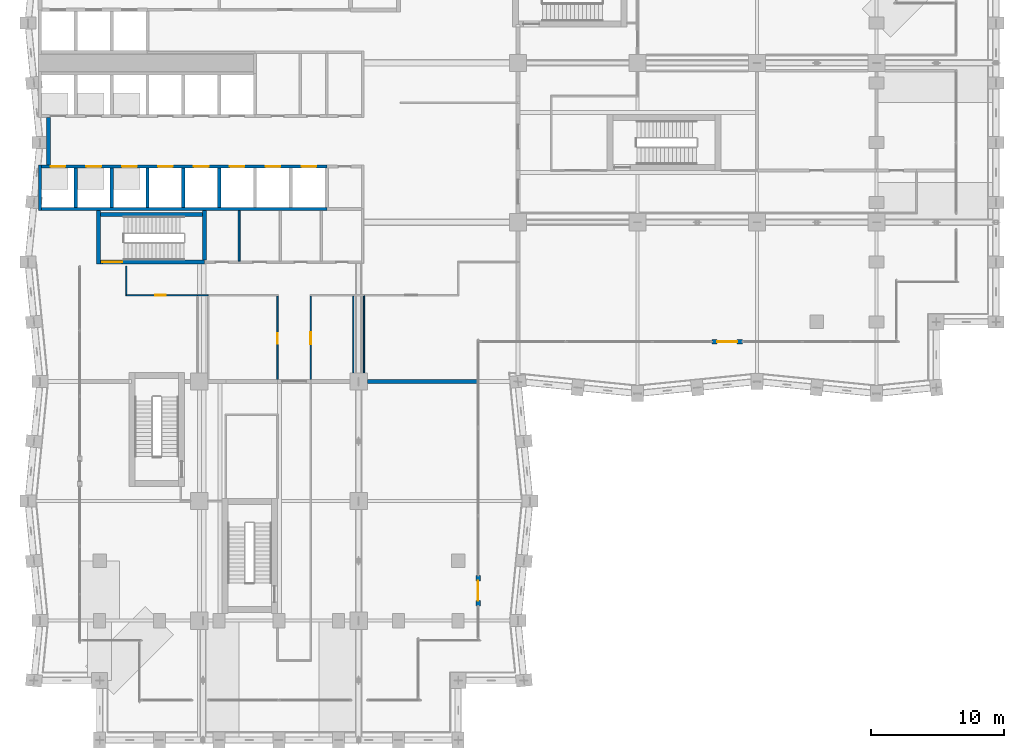
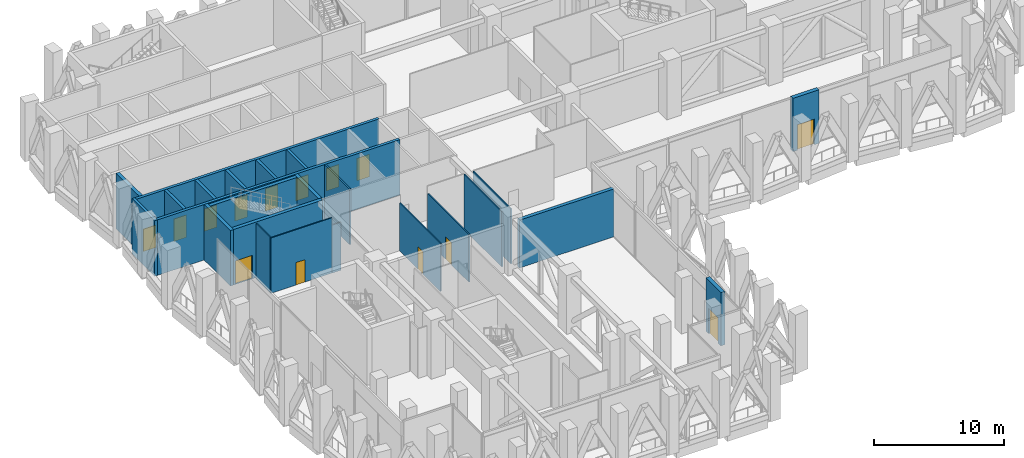
# One storey, part 22 of 37: 24 walls, 14 doors, 14 openings.
"""IFC4 building model written with IfcOpenShell, lengths in metres."""

from ifc_helpers import new_model, si_unit, direction, frame, frame_2d, origin, place, context, subcontext, project, spatial, rectangle, extrude, material, layer, layer_set, type_object, element, fill, save


model = new_model("IFC4")

# Units and contexts
model_context = context("Model", 3, precision=1e-05, world=origin(), true_north=direction((0.0, 1.0)))
body_context = subcontext(model_context, "Body", "Model", "MODEL_VIEW")
ifc_project = project(units=[si_unit("LENGTHUNIT", "METRE"), si_unit("AREAUNIT", "SQUARE_METRE"), si_unit("VOLUMEUNIT", "CUBIC_METRE"), si_unit("PLANEANGLEUNIT", "RADIAN"), si_unit("MASSUNIT", "GRAM", prefix="KILO")], contexts=[model_context])

# Site, building, storey
site_placement = place(None, origin())
site = spatial("IfcSite", under=ifc_project, at=site_placement, CompositionType="ELEMENT")
building_placement = place(site_placement, origin())
building = spatial("IfcBuilding", under=site, at=building_placement, Name="Brondeck Convention Tower", CompositionType="ELEMENT")
storey_placement = place(building_placement, frame((0.0, 0.0, 137.89990234375)))
storey = spatial("IfcBuildingStorey", under=building, at=storey_placement, Name="L33", CompositionType="ELEMENT", Elevation=137.89990234375)

# Wall, opening, door
ifc_material_1 = material(Name="Precast concrete C50/60 bronze finish", Category="concrete")
ifc_layer_1 = layer(ifc_material_1, 0.080078125, Name="Bronze precast facing")
ifc_material_2 = material(Name="Mineral wool")
ifc_layer_2 = layer(ifc_material_2, 0.159912109375, Name="Insulation")
ifc_material_3 = material(Name="Precast concrete C50/60", Category="concrete")
ifc_layer_3 = layer(ifc_material_3, 0.110107421875, Name="Rated backing")
ifc_layer_set_1 = layer_set([ifc_layer_1, ifc_layer_2, ifc_layer_3], Name="Band enclosure wall, insulated panel")
wall_type_1 = type_object("IfcWallType", Name="Band enclosure wall, insulated panel", PredefinedType="SOLIDWALL", material=ifc_layer_set_1)
wall_1_placement = place(storey_placement, frame((33.0, 12.39990234375, 0.0), z_axis=(0.0, 0.0, 1.0), x_axis=(0.0, -1.0, 0.0)))
wall_1 = element("IfcWall", 1, at=wall_1_placement, inside=storey, type_object=wall_type_1, Name="ENV-BW-L33-BT-B-E", PredefinedType="SOLIDWALL", context=body_context, shape_type="SweptSolid", body=[
    extrude(rectangle(XDim=2.2998046875, YDim=0.35009765625, at=frame_2d((1.14990234375, 0.0))), origin(), (0.0, 0.0, 1.0), 5.0),
])
opening_1_placement = place(wall_1_placement, frame((0.39990234375, 0.0, 0.0)))
opening_1 = element("IfcOpeningElement", 2, at=opening_1_placement, cuts=wall_1, Name="Opening DB-L33-BT-B-E", PredefinedType="OPENING", context=body_context, shape_type="SweptSolid", body=[
    extrude(rectangle(XDim=1.5, YDim=2.39990234375, at=frame_2d((0.75, 1.199951171875))), frame((0.0, 0.18505859375, 0.0), z_axis=(0.0, -1.0, 0.0), x_axis=(1.0, 0.0, 0.0)), (0.0, 0.0, 1.0), 0.3701171875),
])
ifc_material_4 = material(Name="Steel, fire-rated door leaf", Category="steel")
door_type_1 = type_object("IfcDoorType", Name="Refuge terrace door, double leaf", OperationType="DOUBLE_DOOR_SINGLE_SWING", PredefinedType="DOOR", material=ifc_material_4)
door_1_placement = place(opening_1_placement, origin())
door_1 = element("IfcDoor", 3, at=door_1_placement, inside=storey, type_object=door_type_1, Name="ENV-D-DB-L33-BT-B-E", OperationType="DOUBLE_DOOR_SINGLE_SWING", OverallHeight=2.39990234375, OverallWidth=1.5, PredefinedType="DOOR", context=body_context, shape_type="SweptSolid", body=[
    extrude(rectangle(XDim=1.5, YDim=2.39990234375, at=frame_2d((0.75, 1.199951171875))), frame((0.0, 0.02490234375, 0.0), z_axis=(0.0, -1.0, 0.0), x_axis=(1.0, 0.0, 0.0)), (0.0, 0.0, 1.0), 0.050048828125),
])
fill(opening_1, door_1)

wall_2_placement = place(storey_placement, frame((52.89990234375, 30.0, 0.0), z_axis=(0.0, 0.0, 1.0), x_axis=(-1.0, 0.0, 0.0)))
wall_2 = element("IfcWall", 4, at=wall_2_placement, inside=storey, type_object=wall_type_1, Name="ENV-BW-L33-BT-A-S", PredefinedType="SOLIDWALL", context=body_context, shape_type="SweptSolid", body=[
    extrude(rectangle(XDim=2.2998046875, YDim=0.35009765625, at=frame_2d((1.14990234375, 0.0))), origin(), (0.0, 0.0, 1.0), 5.0),
])
opening_2_placement = place(wall_2_placement, frame((0.39990234375, 0.0, 0.0)))
opening_2 = element("IfcOpeningElement", 5, at=opening_2_placement, cuts=wall_2, Name="Opening DB-L33-BT-A-S", PredefinedType="OPENING", context=body_context, shape_type="SweptSolid", body=[
    extrude(rectangle(XDim=1.5, YDim=2.39990234375, at=frame_2d((0.75, 1.199951171875))), frame((0.0, 0.18505859375, 0.0), z_axis=(0.0, -1.0, 0.0), x_axis=(1.0, 0.0, 0.0)), (0.0, 0.0, 1.0), 0.3701171875),
])
door_2_placement = place(opening_2_placement, origin())
door_2 = element("IfcDoor", 6, at=door_2_placement, inside=storey, type_object=door_type_1, Name="ENV-D-DB-L33-BT-A-S", OperationType="DOUBLE_DOOR_SINGLE_SWING", OverallHeight=2.39990234375, OverallWidth=1.5, PredefinedType="DOOR", context=body_context, shape_type="SweptSolid", body=[
    extrude(rectangle(XDim=1.5, YDim=2.39990234375, at=frame_2d((0.75, 1.199951171875))), frame((0.0, 0.02490234375, 0.0), z_axis=(0.0, -1.0, 0.0), x_axis=(1.0, 0.0, 0.0)), (0.0, 0.0, 1.0), 0.050048828125),
])
fill(opening_2, door_2)

# Walls
ifc_material_5 = material(Name="Concrete compartment wall C30/37", Category="concrete")
ifc_layer_4 = layer(ifc_material_5, 0.300048828125)
ifc_layer_set_2 = layer_set([ifc_layer_4], Name="Compartment wall 300")
wall_type_2 = type_object("IfcWallType", Name="Compartment wall 300", PredefinedType="PARTITIONING", material=ifc_layer_set_2)
wall_3_placement = place(storey_placement, frame((33.050048828125, 27.0, 0.0), z_axis=(0.0, 0.0, 1.0), x_axis=(-1.0, 0.0, 0.0)))
element("IfcWall", 7, at=wall_3_placement, inside=storey, type_object=wall_type_2, Name="FLR-L33-W016", PredefinedType="PARTITIONING", context=body_context, shape_type="SweptSolid", body=[
    extrude(rectangle(XDim=8.39501953125, YDim=0.300048828125, at=frame_2d((4.197509765625, 0.0))), origin(), (0.0, 0.0, 1.0), 4.47998046875),
])
ifc_material_6 = material(Name="Concrete C70/85", Category="concrete")
ifc_layer_5 = layer(ifc_material_6, 0.300048828125)
ifc_layer_set_3 = layer_set([ifc_layer_5], Name="Core outer wall 300 Concrete C70/85")
wall_type_3 = type_object("IfcWallType", Name="Core outer wall 300 Concrete C70/85", PredefinedType="SHEAR", material=ifc_layer_set_3)
wall_4_placement = place(storey_placement, frame((0.64990234375, 43.324951171875, 0.0), z_axis=(0.0, 0.0, 1.0), x_axis=(0.0, 1.0, 0.0)))
element("IfcWall", 8, at=wall_4_placement, inside=storey, type_object=wall_type_3, Name="L33 core wall", PredefinedType="SHEAR", context=body_context, shape_type="SweptSolid", body=[
    extrude(rectangle(XDim=3.550048828125, YDim=0.300048828125, at=frame_2d((1.77490234375, 0.0))), origin(), (0.0, 0.0, 1.0), 5.2001953125),
])
ifc_material_7 = material(Name="Fire-rated gypsum board partition")
ifc_layer_6 = layer(ifc_material_7, 0.14990234375)
ifc_layer_set_4 = layer_set([ifc_layer_6], Name="Core partition 150 EI 60")
wall_type_4 = type_object("IfcWallType", Name="Core partition 150 EI 60", PredefinedType="PARTITIONING", material=ifc_layer_set_4)
wall_5_placement = place(storey_placement, frame((15.0, 36.074951171875, 0.0), z_axis=(0.0, 0.0, 1.0), x_axis=(0.0, 1.0, 0.0)))
element("IfcWall", 9, at=wall_5_placement, inside=storey, type_object=wall_type_4, Name="L33 core wall", PredefinedType="PARTITIONING", context=body_context, shape_type="SweptSolid", body=[
    extrude(rectangle(XDim=3.800048828125, YDim=0.14990234375, at=frame_2d((1.89990234375, 0.0))), origin(), (0.0, 0.0, 1.0), 5.2001953125),
])
ifc_layer_7 = layer(ifc_material_6, 0.25)
ifc_layer_set_5 = layer_set([ifc_layer_7], Name="Lift shaft wall 250 Concrete C70/85")
wall_type_5 = type_object("IfcWallType", Name="Lift shaft wall 250 Concrete C70/85", PredefinedType="SHEAR", material=ifc_layer_set_5)
wall_6_placement = place(storey_placement, frame((0.125, 40.0, 0.0), z_axis=(0.0, 0.0, 1.0), x_axis=(1.0, 0.0, 0.0)))
element("IfcWall", 10, at=wall_6_placement, inside=storey, type_object=wall_type_5, Name="L33 core wall", PredefinedType="SHEAR", context=body_context, shape_type="SweptSolid", body=[
    extrude(rectangle(XDim=21.47509765625, YDim=0.25, at=frame_2d((10.737548828125, 0.0))), origin(), (0.0, 0.0, 1.0), 5.2001953125),
])

# Wall, openings, doors
wall_7_placement = place(storey_placement, frame((0.125, 43.199951171875, 0.0), z_axis=(0.0, 0.0, 1.0), x_axis=(1.0, 0.0, 0.0)))
wall_7 = element("IfcWall", 11, at=wall_7_placement, inside=storey, type_object=wall_type_5, Name="L33 core wall", PredefinedType="SHEAR", context=body_context, shape_type="SweptSolid", body=[
    extrude(rectangle(XDim=21.47509765625, YDim=0.25, at=frame_2d((10.737548828125, 0.0))), origin(), (0.0, 0.0, 1.0), 5.2001953125),
])
opening_3_placement = place(wall_7_placement, frame((0.675048828125, 0.0, 0.0)))
opening_3 = element("IfcOpeningElement", 12, at=opening_3_placement, cuts=wall_7, Name="Opening C19-21", PredefinedType="OPENING", context=body_context, shape_type="SweptSolid", body=[
    extrude(rectangle(XDim=1.10009765625, YDim=2.10009765625, at=frame_2d((0.550048828125, 1.050048828125))), frame((0.0, 0.135009765625, 0.0), z_axis=(0.0, -1.0, 0.0), x_axis=(1.0, 0.0, 0.0)), (0.0, 0.0, 1.0), 0.27001953125),
])
opening_4_placement = place(wall_7_placement, frame((3.375, 0.0, 0.0)))
opening_4 = element("IfcOpeningElement", 13, at=opening_4_placement, cuts=wall_7, Name="Opening C19-22", PredefinedType="OPENING", context=body_context, shape_type="SweptSolid", body=[
    extrude(rectangle(XDim=1.10009765625, YDim=2.10009765625, at=frame_2d((0.550048828125, 1.050048828125))), frame((0.0, 0.135009765625, 0.0), z_axis=(0.0, -1.0, 0.0), x_axis=(1.0, 0.0, 0.0)), (0.0, 0.0, 1.0), 0.27001953125),
])
opening_5_placement = place(wall_7_placement, frame((6.074951171875, 0.0, 0.0)))
opening_5 = element("IfcOpeningElement", 14, at=opening_5_placement, cuts=wall_7, Name="Opening C19-23", PredefinedType="OPENING", context=body_context, shape_type="SweptSolid", body=[
    extrude(rectangle(XDim=1.10009765625, YDim=2.10009765625, at=frame_2d((0.550048828125, 1.050048828125))), frame((0.0, 0.135009765625, 0.0), z_axis=(0.0, -1.0, 0.0), x_axis=(1.0, 0.0, 0.0)), (0.0, 0.0, 1.0), 0.27001953125),
])
opening_6_placement = place(wall_7_placement, frame((8.77490234375, 0.0, 0.0)))
opening_6 = element("IfcOpeningElement", 15, at=opening_6_placement, cuts=wall_7, Name="Opening C19-27", PredefinedType="OPENING", context=body_context, shape_type="SweptSolid", body=[
    extrude(rectangle(XDim=1.10009765625, YDim=2.10009765625, at=frame_2d((0.550048828125, 1.050048828125))), frame((0.0, 0.135009765625, 0.0), z_axis=(0.0, -1.0, 0.0), x_axis=(1.0, 0.0, 0.0)), (0.0, 0.0, 1.0), 0.27001953125),
])
opening_7_placement = place(wall_7_placement, frame((11.47509765625, 0.0, 0.0)))
opening_7 = element("IfcOpeningElement", 16, at=opening_7_placement, cuts=wall_7, Name="Opening C19-28", PredefinedType="OPENING", context=body_context, shape_type="SweptSolid", body=[
    extrude(rectangle(XDim=1.10009765625, YDim=2.10009765625, at=frame_2d((0.550048828125, 1.050048828125))), frame((0.0, 0.135009765625, 0.0), z_axis=(0.0, -1.0, 0.0), x_axis=(1.0, 0.0, 0.0)), (0.0, 0.0, 1.0), 0.27001953125),
])
opening_8_placement = place(wall_7_placement, frame((14.175048828125, 0.0, 0.0)))
opening_8 = element("IfcOpeningElement", 17, at=opening_8_placement, cuts=wall_7, Name="Opening C19-29", PredefinedType="OPENING", context=body_context, shape_type="SweptSolid", body=[
    extrude(rectangle(XDim=1.10009765625, YDim=2.10009765625, at=frame_2d((0.550048828125, 1.050048828125))), frame((0.0, 0.135009765625, 0.0), z_axis=(0.0, -1.0, 0.0), x_axis=(1.0, 0.0, 0.0)), (0.0, 0.0, 1.0), 0.27001953125),
])
opening_9_placement = place(wall_7_placement, frame((16.875, 0.0, 0.0)))
opening_9 = element("IfcOpeningElement", 18, at=opening_9_placement, cuts=wall_7, Name="Opening C19-33", PredefinedType="OPENING", context=body_context, shape_type="SweptSolid", body=[
    extrude(rectangle(XDim=1.10009765625, YDim=2.10009765625, at=frame_2d((0.550048828125, 1.050048828125))), frame((0.0, 0.135009765625, 0.0), z_axis=(0.0, -1.0, 0.0), x_axis=(1.0, 0.0, 0.0)), (0.0, 0.0, 1.0), 0.27001953125),
])
opening_10_placement = place(wall_7_placement, frame((19.574951171875, 0.0, 0.0)))
opening_10 = element("IfcOpeningElement", 19, at=opening_10_placement, cuts=wall_7, Name="Opening C19-34", PredefinedType="OPENING", context=body_context, shape_type="SweptSolid", body=[
    extrude(rectangle(XDim=1.10009765625, YDim=2.10009765625, at=frame_2d((0.550048828125, 1.050048828125))), frame((0.0, 0.135009765625, 0.0), z_axis=(0.0, -1.0, 0.0), x_axis=(1.0, 0.0, 0.0)), (0.0, 0.0, 1.0), 0.27001953125),
])
ifc_material_8 = material(Name="Stainless steel lift door", Category="steel")
door_type_2 = type_object("IfcDoorType", Name="Lift landing door 1100x2100 EI 180", OperationType="DOUBLE_DOOR_SLIDING", PredefinedType="DOOR", material=ifc_material_8)
door_3_placement = place(opening_3_placement, origin())
door_3 = element("IfcDoor", 20, at=door_3_placement, inside=storey, type_object=door_type_2, Name="L33 Lift landing door HR1", OperationType="DOUBLE_DOOR_SLIDING", OverallHeight=2.10009765625, OverallWidth=1.10009765625, PredefinedType="DOOR", context=body_context, shape_type="SweptSolid", body=[
    extrude(rectangle(XDim=1.10009765625, YDim=2.10009765625, at=frame_2d((0.550048828125, 1.050048828125))), frame((0.0, 0.02490234375, 0.0), z_axis=(0.0, -1.0, 0.0), x_axis=(1.0, 0.0, 0.0)), (0.0, 0.0, 1.0), 0.050048828125),
])
fill(opening_3, door_3)
door_4_placement = place(opening_4_placement, origin())
door_4 = element("IfcDoor", 21, at=door_4_placement, inside=storey, type_object=door_type_2, Name="L33 Lift landing door HR2", OperationType="DOUBLE_DOOR_SLIDING", OverallHeight=2.10009765625, OverallWidth=1.10009765625, PredefinedType="DOOR", context=body_context, shape_type="SweptSolid", body=[
    extrude(rectangle(XDim=1.10009765625, YDim=2.10009765625, at=frame_2d((0.550048828125, 1.050048828125))), frame((0.0, 0.02490234375, 0.0), z_axis=(0.0, -1.0, 0.0), x_axis=(1.0, 0.0, 0.0)), (0.0, 0.0, 1.0), 0.050048828125),
])
fill(opening_4, door_4)
door_5_placement = place(opening_5_placement, origin())
door_5 = element("IfcDoor", 22, at=door_5_placement, inside=storey, type_object=door_type_2, Name="L33 Lift landing door HR3", OperationType="DOUBLE_DOOR_SLIDING", OverallHeight=2.10009765625, OverallWidth=1.10009765625, PredefinedType="DOOR", context=body_context, shape_type="SweptSolid", body=[
    extrude(rectangle(XDim=1.10009765625, YDim=2.10009765625, at=frame_2d((0.550048828125, 1.050048828125))), frame((0.0, 0.02490234375, 0.0), z_axis=(0.0, -1.0, 0.0), x_axis=(1.0, 0.0, 0.0)), (0.0, 0.0, 1.0), 0.050048828125),
])
fill(opening_5, door_5)
door_6_placement = place(opening_6_placement, origin())
door_6 = element("IfcDoor", 23, at=door_6_placement, inside=storey, type_object=door_type_2, Name="L33 Lift landing door LR1", OperationType="DOUBLE_DOOR_SLIDING", OverallHeight=2.10009765625, OverallWidth=1.10009765625, PredefinedType="DOOR", context=body_context, shape_type="SweptSolid", body=[
    extrude(rectangle(XDim=1.10009765625, YDim=2.10009765625, at=frame_2d((0.550048828125, 1.050048828125))), frame((0.0, 0.02490234375, 0.0), z_axis=(0.0, -1.0, 0.0), x_axis=(1.0, 0.0, 0.0)), (0.0, 0.0, 1.0), 0.050048828125),
])
fill(opening_6, door_6)
door_7_placement = place(opening_7_placement, origin())
door_7 = element("IfcDoor", 24, at=door_7_placement, inside=storey, type_object=door_type_2, Name="L33 Lift landing door LR2", OperationType="DOUBLE_DOOR_SLIDING", OverallHeight=2.10009765625, OverallWidth=1.10009765625, PredefinedType="DOOR", context=body_context, shape_type="SweptSolid", body=[
    extrude(rectangle(XDim=1.10009765625, YDim=2.10009765625, at=frame_2d((0.550048828125, 1.050048828125))), frame((0.0, 0.02490234375, 0.0), z_axis=(0.0, -1.0, 0.0), x_axis=(1.0, 0.0, 0.0)), (0.0, 0.0, 1.0), 0.050048828125),
])
fill(opening_7, door_7)
door_8_placement = place(opening_8_placement, origin())
door_8 = element("IfcDoor", 25, at=door_8_placement, inside=storey, type_object=door_type_2, Name="L33 Lift landing door LR3", OperationType="DOUBLE_DOOR_SLIDING", OverallHeight=2.10009765625, OverallWidth=1.10009765625, PredefinedType="DOOR", context=body_context, shape_type="SweptSolid", body=[
    extrude(rectangle(XDim=1.10009765625, YDim=2.10009765625, at=frame_2d((0.550048828125, 1.050048828125))), frame((0.0, 0.02490234375, 0.0), z_axis=(0.0, -1.0, 0.0), x_axis=(1.0, 0.0, 0.0)), (0.0, 0.0, 1.0), 0.050048828125),
])
fill(opening_8, door_8)
door_9_placement = place(opening_9_placement, origin())
door_9 = element("IfcDoor", 26, at=door_9_placement, inside=storey, type_object=door_type_2, Name="L33 Lift landing door SH1", OperationType="DOUBLE_DOOR_SLIDING", OverallHeight=2.10009765625, OverallWidth=1.10009765625, PredefinedType="DOOR", context=body_context, shape_type="SweptSolid", body=[
    extrude(rectangle(XDim=1.10009765625, YDim=2.10009765625, at=frame_2d((0.550048828125, 1.050048828125))), frame((0.0, 0.02490234375, 0.0), z_axis=(0.0, -1.0, 0.0), x_axis=(1.0, 0.0, 0.0)), (0.0, 0.0, 1.0), 0.050048828125),
])
fill(opening_9, door_9)
door_10_placement = place(opening_10_placement, origin())
door_10 = element("IfcDoor", 27, at=door_10_placement, inside=storey, type_object=door_type_2, Name="L33 Lift landing door SH2", OperationType="DOUBLE_DOOR_SLIDING", OverallHeight=2.10009765625, OverallWidth=1.10009765625, PredefinedType="DOOR", context=body_context, shape_type="SweptSolid", body=[
    extrude(rectangle(XDim=1.10009765625, YDim=2.10009765625, at=frame_2d((0.550048828125, 1.050048828125))), frame((0.0, 0.02490234375, 0.0), z_axis=(0.0, -1.0, 0.0), x_axis=(1.0, 0.0, 0.0)), (0.0, 0.0, 1.0), 0.050048828125),
])
fill(opening_10, door_10)

# Walls
wall_8_placement = place(storey_placement, frame((0.0, 39.875, 0.0), z_axis=(0.0, 0.0, 1.0), x_axis=(0.0, 1.0, 0.0)))
element("IfcWall", 28, at=wall_8_placement, inside=storey, type_object=wall_type_5, Name="L33 core wall", PredefinedType="SHEAR", context=body_context, shape_type="SweptSolid", body=[
    extrude(rectangle(XDim=3.449951171875, YDim=0.25, at=frame_2d((1.72509765625, 0.0))), origin(), (0.0, 0.0, 1.0), 5.2001953125),
])
for number, where, z_axis, x_axis, name in (
    (29, (2.699951171875, 40.125, 0.0), (0.0, 0.0, 1.0), (0.0, 1.0, 0.0), "L33 core wall"),
    (30, (5.39990234375, 40.125, 0.0), (0.0, 0.0, 1.0), (0.0, 1.0, 0.0), "L33 core wall"),
    (31, (8.10009765625, 40.125, 0.0), (0.0, 0.0, 1.0), (0.0, 1.0, 0.0), "L33 core wall"),
    (32, (10.800048828125, 40.125, 0.0), (0.0, 0.0, 1.0), (0.0, 1.0, 0.0), "L33 core wall"),
    (33, (13.5, 40.125, 0.0), (0.0, 0.0, 1.0), (0.0, 1.0, 0.0), "L33 core wall"),
):
    element("IfcWall", number, at=place(storey_placement, frame(where, z_axis=z_axis, x_axis=x_axis)), inside=storey, type_object=wall_type_5, Name=name, PredefinedType="SHEAR", context=body_context, shape_type="SweptSolid", body=[
        extrude(rectangle(XDim=2.949951171875, YDim=0.25, at=frame_2d((1.47509765625, 0.0))), origin(), (0.0, 0.0, 1.0), 5.2001953125),
    ])

# Wall, opening, door
ifc_material_9 = material(Name="Gypsum board partition on steel studs", Category="steel")
ifc_layer_8 = layer(ifc_material_9, 0.10009765625)
ifc_layer_set_6 = layer_set([ifc_layer_8], Name="Room partition 100")
wall_type_6 = type_object("IfcWallType", Name="Room partition 100", PredefinedType="PARTITIONING", material=ifc_layer_set_6)
wall_9_placement = place(storey_placement, frame((17.89990234375, 27.169921875, 0.0), z_axis=(0.0, 0.0, 1.0), x_axis=(0.0, 1.0, 0.0)))
wall_9 = element("IfcWall", 34, at=wall_9_placement, inside=storey, type_object=wall_type_6, Name="FLR-L33-W019", PredefinedType="PARTITIONING", context=body_context, shape_type="SweptSolid", body=[
    extrude(rectangle(XDim=6.280029296875, YDim=0.10009765625, at=frame_2d((3.14013671875, 0.0))), origin(), (0.0, 0.0, 1.0), 4.47998046875),
])
opening_11_placement = place(wall_9_placement, frame((2.679931640625, 0.0, 0.0)))
opening_11 = element("IfcOpeningElement", 35, at=opening_11_placement, cuts=wall_9, Name="Opening BD-2-008", PredefinedType="OPENING", context=body_context, shape_type="SweptSolid", body=[
    extrude(rectangle(XDim=0.800048828125, YDim=2.10009765625, at=frame_2d((0.39990234375, 1.050048828125))), frame((0.0, 0.06005859375, 0.0), z_axis=(0.0, -1.0, 0.0), x_axis=(1.0, 0.0, 0.0)), (0.0, 0.0, 1.0), 0.1201171875),
])
ifc_material_10 = material(Name="Steel service door leaf", Category="steel")
door_type_3 = type_object("IfcDoorType", Name="Service door 800", OperationType="NOTDEFINED", PredefinedType="DOOR", material=ifc_material_10)
door_11_placement = place(opening_11_placement, origin())
door_11 = element("IfcDoor", 36, at=door_11_placement, inside=storey, type_object=door_type_3, Name="Door BD-2-008", OperationType="SINGLE_SWING_RIGHT", OverallHeight=2.10009765625, OverallWidth=0.800048828125, PredefinedType="DOOR", context=body_context, shape_type="SweptSolid", body=[
    extrude(rectangle(XDim=0.800048828125, YDim=2.10009765625, at=frame_2d((0.39990234375, 1.050048828125))), frame((0.0, 0.02490234375, 0.0), z_axis=(0.0, -1.0, 0.0), x_axis=(1.0, 0.0, 0.0)), (0.0, 0.0, 1.0), 0.050048828125),
])
fill(opening_11, door_11)

# Wall
wall_10_placement = place(storey_placement, frame((24.39990234375, 27.655029296875, 0.0), z_axis=(0.0, 0.0, 1.0), x_axis=(0.0, 1.0, 0.0)))
element("IfcWall", 37, at=wall_10_placement, inside=storey, type_object=wall_type_6, Name="FLR-L33-W020", PredefinedType="PARTITIONING", context=body_context, shape_type="SweptSolid", body=[
    extrude(rectangle(XDim=5.794921875, YDim=0.10009765625, at=frame_2d((2.8974609375, 0.0))), origin(), (0.0, 0.0, 1.0), 5.18017578125),
])

# Wall, opening, door
wall_11_placement = place(storey_placement, frame((20.39990234375, 33.449951171875, 0.0), z_axis=(0.0, 0.0, 1.0), x_axis=(0.0, -1.0, 0.0)))
wall_11 = element("IfcWall", 38, at=wall_11_placement, inside=storey, type_object=wall_type_6, Name="FLR-L33-W024", PredefinedType="PARTITIONING", context=body_context, shape_type="SweptSolid", body=[
    extrude(rectangle(XDim=6.280029296875, YDim=0.10009765625, at=frame_2d((3.14013671875, 0.0))), origin(), (0.0, 0.0, 1.0), 4.47998046875),
])
opening_12_placement = place(wall_11_placement, frame((2.75, 0.0, 0.0)))
opening_12 = element("IfcOpeningElement", 39, at=opening_12_placement, cuts=wall_11, Name="Opening BD-2-006", PredefinedType="OPENING", context=body_context, shape_type="SweptSolid", body=[
    extrude(rectangle(XDim=0.89990234375, YDim=2.10009765625, at=frame_2d((0.449951171875, 1.050048828125))), frame((0.0, 0.06005859375, 0.0), z_axis=(0.0, -1.0, 0.0), x_axis=(1.0, 0.0, 0.0)), (0.0, 0.0, 1.0), 0.1201171875),
])
ifc_material_11 = material(Name="Solid timber door leaf", Category="wood")
door_type_4 = type_object("IfcDoorType", Name="Single door 900", OperationType="NOTDEFINED", PredefinedType="DOOR", material=ifc_material_11)
door_12_placement = place(opening_12_placement, origin())
door_12 = element("IfcDoor", 40, at=door_12_placement, inside=storey, type_object=door_type_4, Name="Door BD-2-006", OperationType="SINGLE_SWING_LEFT", OverallHeight=2.10009765625, OverallWidth=0.89990234375, PredefinedType="DOOR", context=body_context, shape_type="SweptSolid", body=[
    extrude(rectangle(XDim=0.89990234375, YDim=2.10009765625, at=frame_2d((0.449951171875, 1.050048828125))), frame((0.0, 0.02490234375, 0.0), z_axis=(0.0, -1.0, 0.0), x_axis=(1.0, 0.0, 0.0)), (0.0, 0.0, 1.0), 0.050048828125),
])
fill(opening_12, door_12)

# Wall
wall_12_placement = place(storey_placement, frame((23.60009765625, 33.449951171875, 0.0), z_axis=(0.0, 0.0, 1.0), x_axis=(0.0, -1.0, 0.0)))
element("IfcWall", 41, at=wall_12_placement, inside=storey, type_object=wall_type_6, Name="FLR-L33-W025", PredefinedType="PARTITIONING", context=body_context, shape_type="SweptSolid", body=[
    extrude(rectangle(XDim=5.794921875, YDim=0.10009765625, at=frame_2d((2.8974609375, 0.0))), origin(), (0.0, 0.0, 1.0), 5.18017578125),
])

# Wall, opening, door
wall_13_placement = place(storey_placement, frame((11.8701171875, 33.5, 0.0), z_axis=(0.0, 0.0, 1.0), x_axis=(-1.0, 0.0, 0.0)))
wall_13 = element("IfcWall", 42, at=wall_13_placement, inside=storey, type_object=wall_type_6, Name="FLR-L33-W026", PredefinedType="PARTITIONING", context=body_context, shape_type="SweptSolid", body=[
    extrude(rectangle(XDim=5.420166015625, YDim=0.10009765625, at=frame_2d((2.7099609375, 0.0))), origin(), (0.0, 0.0, 1.0), 5.18017578125),
])
opening_13_placement = place(wall_13_placement, frame((2.39501953125, 0.0, 0.0)))
opening_13 = element("IfcOpeningElement", 43, at=opening_13_placement, cuts=wall_13, Name="Opening BD-2-007", PredefinedType="OPENING", context=body_context, shape_type="SweptSolid", body=[
    extrude(rectangle(XDim=0.800048828125, YDim=2.10009765625, at=frame_2d((0.39990234375, 1.050048828125))), frame((0.0, 0.06005859375, 0.0), z_axis=(0.0, -1.0, 0.0), x_axis=(1.0, 0.0, 0.0)), (0.0, 0.0, 1.0), 0.1201171875),
])
door_13_placement = place(opening_13_placement, origin())
door_13 = element("IfcDoor", 44, at=door_13_placement, inside=storey, type_object=door_type_3, Name="Door BD-2-007", OperationType="SINGLE_SWING_LEFT", OverallHeight=2.10009765625, OverallWidth=0.800048828125, PredefinedType="DOOR", context=body_context, shape_type="SweptSolid", body=[
    extrude(rectangle(XDim=0.800048828125, YDim=2.10009765625, at=frame_2d((0.39990234375, 1.050048828125))), frame((0.0, 0.02490234375, 0.0), z_axis=(0.0, -1.0, 0.0), x_axis=(1.0, 0.0, 0.0)), (0.0, 0.0, 1.0), 0.050048828125),
])
fill(opening_13, door_13)

# Walls
wall_14_placement = place(storey_placement, frame((12.669921875, 33.5, 0.0), z_axis=(0.0, 0.0, 1.0), x_axis=(-1.0, 0.0, 0.0)))
element("IfcWall", 45, at=wall_14_placement, inside=storey, type_object=wall_type_6, Name="FLR-L33-W027", PredefinedType="PARTITIONING", context=body_context, shape_type="SweptSolid", body=[
    extrude(rectangle(XDim=0.7998046875, YDim=0.10009765625, at=frame_2d((0.39990234375, 0.0))), origin(), (0.0, 0.0, 1.0), 4.47998046875),
])
wall_15_placement = place(storey_placement, frame((6.5, 33.550048828125, 0.0), z_axis=(0.0, 0.0, 1.0), x_axis=(0.0, 1.0, 0.0)))
element("IfcWall", 46, at=wall_15_placement, inside=storey, type_object=wall_type_6, Name="FLR-L33-W032", PredefinedType="PARTITIONING", context=body_context, shape_type="SweptSolid", body=[
    extrude(rectangle(XDim=2.14990234375, YDim=0.10009765625, at=frame_2d((1.074951171875, 0.0))), origin(), (0.0, 0.0, 1.0), 5.18017578125),
])

# Wall, opening, door
ifc_layer_9 = layer(ifc_material_6, 0.300048828125)
ifc_layer_set_7 = layer_set([ifc_layer_9], Name="Stair enclosure wall 300 Concrete C70/85")
wall_type_7 = type_object("IfcWallType", Name="Stair enclosure wall 300 Concrete C70/85", PredefinedType="SHEAR", material=ifc_layer_set_7)
wall_16_placement = place(storey_placement, frame((4.550048828125, 36.0, 0.0), z_axis=(0.0, 0.0, 1.0), x_axis=(1.0, 0.0, 0.0)))
wall_16 = element("IfcWall", 47, at=wall_16_placement, inside=storey, type_object=wall_type_7, Name="L33 core wall", PredefinedType="SHEAR", context=body_context, shape_type="SweptSolid", body=[
    extrude(rectangle(XDim=7.849853515625, YDim=0.300048828125, at=frame_2d((3.9248046875, 0.0))), origin(), (0.0, 0.0, 1.0), 5.2001953125),
])
opening_14_placement = place(wall_16_placement, frame((0.14990234375, 0.0, 0.0)))
opening_14 = element("IfcOpeningElement", 48, at=opening_14_placement, cuts=wall_16, Name="Opening C19-11", PredefinedType="OPENING", context=body_context, shape_type="SweptSolid", body=[
    extrude(rectangle(XDim=1.5, YDim=2.199951171875, at=frame_2d((0.75, 1.10009765625))), frame((0.0, 0.159912109375, 0.0), z_axis=(0.0, -1.0, 0.0), x_axis=(1.0, 0.0, 0.0)), (0.0, 0.0, 1.0), 0.320068359375),
])
ifc_material_12 = material(Name="Steel fire door", Category="steel")
door_type_5 = type_object("IfcDoorType", Name="Stair door 1500x2200 EI 90", OperationType="NOTDEFINED", PredefinedType="DOOR", material=ifc_material_12)
door_14_placement = place(opening_14_placement, origin())
door_14 = element("IfcDoor", 49, at=door_14_placement, inside=storey, type_object=door_type_5, Name="L33 Stair door ST-1", OperationType="SINGLE_SWING_RIGHT", OverallHeight=2.199951171875, OverallWidth=1.5, PredefinedType="DOOR", context=body_context, shape_type="SweptSolid", body=[
    extrude(rectangle(XDim=1.5, YDim=2.199951171875, at=frame_2d((0.75, 1.10009765625))), frame((0.0, 0.02490234375, 0.0), z_axis=(0.0, -1.0, 0.0), x_axis=(1.0, 0.0, 0.0)), (0.0, 0.0, 1.0), 0.050048828125),
])
fill(opening_14, door_14)

# Walls
wall_17_placement = place(storey_placement, frame((4.550048828125, 39.60009765625, 0.0), z_axis=(0.0, 0.0, 1.0), x_axis=(1.0, 0.0, 0.0)))
element("IfcWall", 50, at=wall_17_placement, inside=storey, type_object=wall_type_7, Name="L33 core wall", PredefinedType="SHEAR", context=body_context, shape_type="SweptSolid", body=[
    extrude(rectangle(XDim=7.699951171875, YDim=0.300048828125, at=frame_2d((3.85009765625, 0.0))), origin(), (0.0, 0.0, 1.0), 5.2001953125),
])
wall_18_placement = place(storey_placement, frame((4.39990234375, 35.85009765625, 0.0), z_axis=(0.0, 0.0, 1.0), x_axis=(0.0, 1.0, 0.0)))
element("IfcWall", 51, at=wall_18_placement, inside=storey, type_object=wall_type_7, Name="L33 core wall", PredefinedType="SHEAR", context=body_context, shape_type="SweptSolid", body=[
    extrude(rectangle(XDim=4.02490234375, YDim=0.300048828125, at=frame_2d((2.012451171875, 0.0))), origin(), (0.0, 0.0, 1.0), 5.2001953125),
])
wall_19_placement = place(storey_placement, frame((12.39990234375, 36.14990234375, 0.0), z_axis=(0.0, 0.0, 1.0), x_axis=(0.0, 1.0, 0.0)))
element("IfcWall", 52, at=wall_19_placement, inside=storey, type_object=wall_type_7, Name="L33 core wall", PredefinedType="SHEAR", context=body_context, shape_type="SweptSolid", body=[
    extrude(rectangle(XDim=3.72509765625, YDim=0.300048828125, at=frame_2d((1.862548828125, 0.0))), origin(), (0.0, 0.0, 1.0), 5.2001953125),
])

save(model, "model.ifc")
